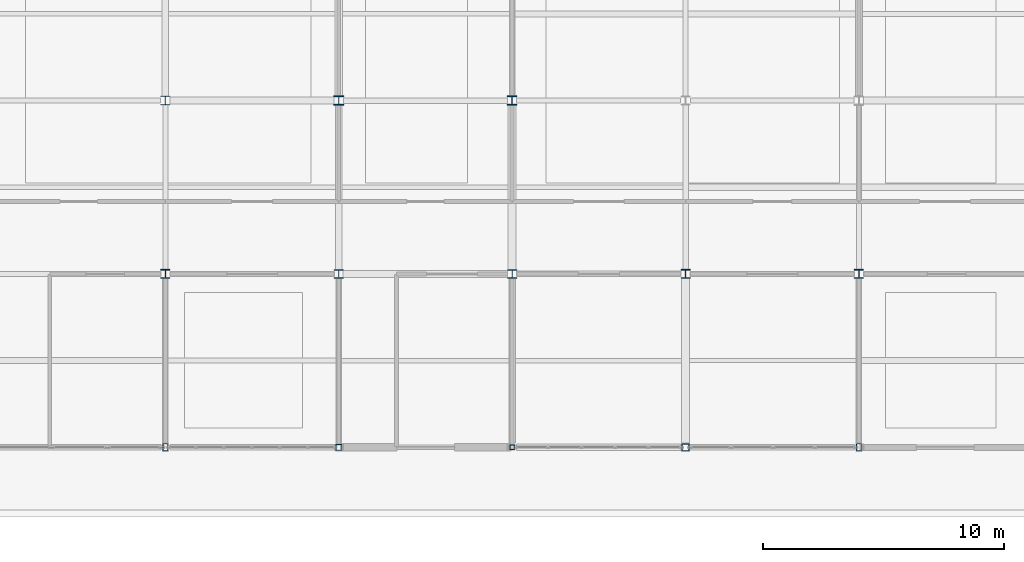
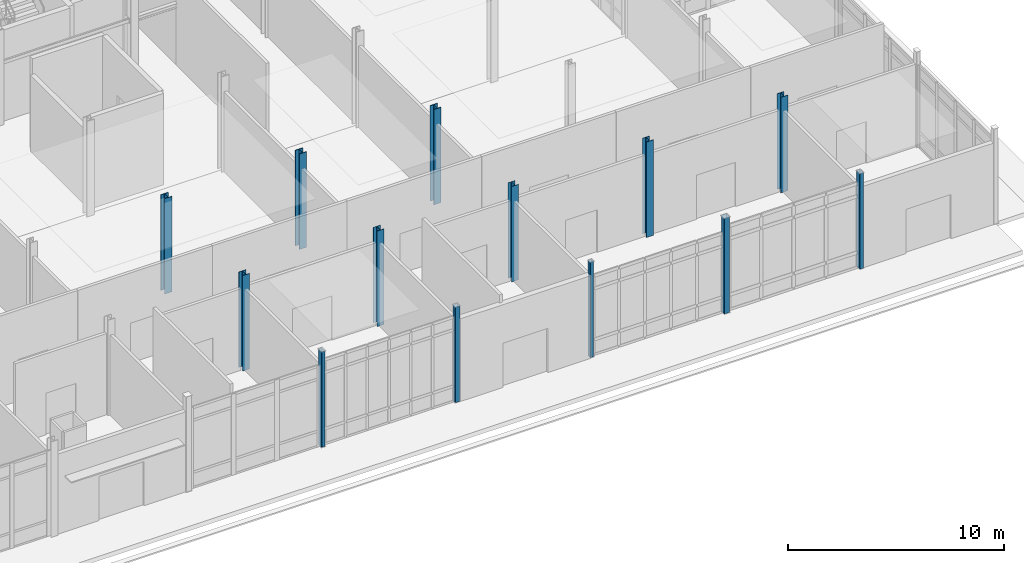
# One storey, part 18 of 229: 13 columns.
"""IFC4 building model written with IfcOpenShell, lengths in metres."""

import ifcopenshell
import ifcopenshell.guid

model = None  # the IFC model being written
_history = None  # IfcOwnerHistory: only IFC2X3 demands one
_inside = {}  # id of a spatial element -> (the spatial element, [elements in it])
_under = {}  # id of a project, library or spatial element -> (it, [spatial elements below it])
_declared = {}  # id of a project -> (the project, [libraries it declares])
_typed = {}  # id of a type object -> (the type object, [elements of that type])
_made_of = {}  # id of a material, layer set ... -> (it, [elements and type objects made of it])


def new_model(schema):
    """Start an empty IFC model of exactly this schema.

    Asked for "IFC4X3", IfcOpenShell would pick the latest addendum, in which some entities
    have other attributes; the version numbers below select the first issue.
    IFC2X3 requires an IfcOwnerHistory on every rooted entity: one is made here for all.
    """
    global model, _history
    if schema == "IFC4X3":
        model = ifcopenshell.file(schema_version=(4, 3, 0, 0))
    else:
        model = ifcopenshell.file(schema=schema)
    _inside.clear()
    _under.clear()
    _declared.clear()
    _typed.clear()
    _made_of.clear()
    _history = None
    if model.schema == "IFC2X3":
        org = make("IfcOrganization", Name="unknown")
        user = make(
            "IfcPersonAndOrganization",
            ThePerson=make("IfcPerson", FamilyName="unknown"),
            TheOrganization=org,
        )
        app = make(
            "IfcApplication",
            ApplicationDeveloper=org,
            Version="unknown",
            ApplicationFullName="unknown",
            ApplicationIdentifier="unknown",
        )
        _history = make(
            "IfcOwnerHistory",
            OwningUser=user,
            OwningApplication=app,
            ChangeAction="ADDED",
            CreationDate=0,
        )
    return model


def make(cls, **values):
    """One entity of the class cls with the attributes given. An attribute that is None is left unset."""
    return model.create_entity(
        cls, **{name: value for name, value in values.items() if value is not None}
    )


def rooted(cls, **values):
    """An entity with a GlobalId (a new one), such as an element, a storey or a relation."""
    return make(cls, GlobalId=ifcopenshell.guid.new(), OwnerHistory=_history, **values)


def si_unit(unit_type, name, prefix=None):
    """IfcSIUnit, for example si_unit("LENGTHUNIT", "METRE", prefix="MILLI")."""
    return make("IfcSIUnit", UnitType=unit_type, Prefix=prefix, Name=name)


def assignment(units):
    """IfcUnitAssignment: the units of a project."""
    return None if units is None else make("IfcUnitAssignment", Units=units)


def point(xyz):
    """IfcCartesianPoint."""
    return None if xyz is None else make("IfcCartesianPoint", Coordinates=xyz)


def direction(xyz):
    """IfcDirection."""
    return None if xyz is None else make("IfcDirection", DirectionRatios=xyz)


def frame(location, z_axis=None, x_axis=None):
    """IfcAxis2Placement3D, a coordinate frame: its origin and axes. An axis left out is left unset."""
    return make(
        "IfcAxis2Placement3D",
        Location=point(location),
        Axis=direction(z_axis),
        RefDirection=direction(x_axis),
    )


def frame_2d(location, x_axis=None):
    """IfcAxis2Placement2D, a coordinate frame in the plane: its origin and x axis."""
    return make(
        "IfcAxis2Placement2D", Location=point(location), RefDirection=direction(x_axis)
    )


def origin():
    """The frame at (0, 0, 0) with its axes left unset."""
    return frame((0.0, 0.0, 0.0))


def origin_2d():
    """The frame at (0, 0) in the plane with its x axis left unset."""
    return frame_2d((0.0, 0.0))


def place(relative_to, where):
    """IfcLocalPlacement: puts the frame where relative to a parent placement (None: the world)."""
    return make(
        "IfcLocalPlacement", PlacementRelTo=relative_to, RelativePlacement=where
    )


def context(
    kind, dimensions, precision=None, world=None, true_north=None, identifier=None
):
    """IfcGeometricRepresentationContext, for example the 3D "Model" context."""
    return make(
        "IfcGeometricRepresentationContext",
        ContextIdentifier=identifier,
        ContextType=kind,
        CoordinateSpaceDimension=dimensions,
        Precision=precision,
        WorldCoordinateSystem=world,
        TrueNorth=true_north,
    )


def subcontext(parent, identifier, kind, view, scale=None):
    """IfcGeometricRepresentationSubContext, for example "Body" below "Model"."""
    return make(
        "IfcGeometricRepresentationSubContext",
        ContextIdentifier=identifier,
        ContextType=kind,
        ParentContext=parent,
        TargetScale=scale,
        TargetView=view,
    )


def project(units=None, contexts=None):
    """IfcProject with its units and contexts."""
    return rooted(
        "IfcProject",
        Name="project",
        RepresentationContexts=contexts,
        UnitsInContext=assignment(units),
    )


def spatial(cls, under=None, at=None, **own):
    """A site, building, storey or space (cls), placed at a placement, below another one or the project."""
    s = rooted(cls, ObjectPlacement=at, **own)
    if under is not None:
        _under.setdefault(under.id(), (under, []))[1].append(s)
    return s


def profile(cls, at=None, kind="AREA", **sizes):
    """A parametric profile (cls). Its sizes go by their IFC names, for example OverallWidth=200.0."""
    return make(cls, ProfileType=kind, Position=at, **sizes)


def hollow_rectangle(**sizes):
    """IfcRectangleHollowProfileDef."""
    return profile("IfcRectangleHollowProfileDef", **sizes)


def i_section(**sizes):
    """IfcIShapeProfileDef."""
    return profile("IfcIShapeProfileDef", **sizes)


def extrude(swept, where, along, depth):
    """IfcExtrudedAreaSolid: the profile swept, set in the frame where, extruded along a direction by depth."""
    return make(
        "IfcExtrudedAreaSolid",
        SweptArea=swept,
        Position=where,
        ExtrudedDirection=direction(along),
        Depth=depth,
    )


def shape(context_of_items, identifier, shape_type, items):
    """IfcShapeRepresentation: the items that make up one representation, for example the "Body"."""
    return make(
        "IfcShapeRepresentation",
        ContextOfItems=context_of_items,
        RepresentationIdentifier=identifier,
        RepresentationType=shape_type,
        Items=items,
    )


def material(Name=None, Category=None):
    """IfcMaterial."""
    return make("IfcMaterial", Name=Name, Category=Category)


def material_profile(
    of_material, cross_section, Name=None, Category=None, Priority=None
):
    """IfcMaterialProfile: a cross section and its material."""
    return make(
        "IfcMaterialProfile",
        Name=Name,
        Material=of_material,
        Profile=cross_section,
        Priority=Priority,
        Category=Category,
    )


def profile_set(profiles, Name=None, composite=None):
    """IfcMaterialProfileSet."""
    return make(
        "IfcMaterialProfileSet",
        Name=Name,
        MaterialProfiles=profiles,
        CompositeProfile=composite,
    )


def made_of(thing, what):
    """Note that an element or type object is made of a material, layer set ...; save() writes the relation."""
    if what is not None:
        _made_of.setdefault(what.id(), (what, []))[1].append(thing)
    return thing


def type_object(cls, material=None, **own):
    """A type object (cls), such as IfcWallType, which elements share."""
    return made_of(rooted(cls, **own), material)


def element(
    cls,
    number,
    at=None,
    inside=None,
    cuts=None,
    type_object=None,
    material=None,
    context=None,
    identifier="Body",
    shape_type=None,
    held_by="IfcProductDefinitionShape",
    body=None,
    shapes=None,
    **own,
):
    """One element of the class cls, such as IfcWall. Its Tag is "e" and its number.

    at: its placement. inside: the storey or other place that contains it. cuts: it is an
    opening in that element (IfcRelVoidsElement). A single representation is given by context,
    identifier, shape_type and body (its items); several are given by shapes. held_by: the class
    of the entity that holds the representations. save() writes the other relations.
    """
    e = rooted(cls, Tag="e%d" % number, ObjectPlacement=at, **own)
    if body is not None:
        shapes = [shape(context, identifier, shape_type, body)]
    if shapes is not None:
        e.Representation = make(held_by, Representations=shapes)
    if inside is not None:
        _inside.setdefault(inside.id(), (inside, []))[1].append(e)
    if cuts is not None:
        rooted(
            "IfcRelVoidsElement", RelatingBuildingElement=cuts, RelatedOpeningElement=e
        )
    if type_object is not None:
        _typed.setdefault(type_object.id(), (type_object, []))[1].append(e)
    return made_of(e, material)


def aggregate(whole, parts):
    """IfcRelAggregates: a whole, such as a stair, and the parts it consists of."""
    return rooted("IfcRelAggregates", RelatingObject=whole, RelatedObjects=parts)


def save(model, path):
    """Write the relations noted so far, then the file.

    IfcRelAggregates (storeys below a building ...), IfcRelContainedInSpatialStructure (elements
    in a storey), IfcRelDefinesByType, IfcRelAssociatesMaterial and IfcRelDeclares: one each for
    every whole, place, type object, material and project.
    """
    for whole, parts in _under.values():
        aggregate(whole, parts)
    for where, things in _inside.values():
        rooted(
            "IfcRelContainedInSpatialStructure",
            RelatedElements=things,
            RelatingStructure=where,
        )
    for kind, things in _typed.values():
        rooted("IfcRelDefinesByType", RelatedObjects=things, RelatingType=kind)
    for what, things in _made_of.values():
        rooted("IfcRelAssociatesMaterial", RelatedObjects=things, RelatingMaterial=what)
    for by, libraries in _declared.values():
        rooted("IfcRelDeclares", RelatingContext=by, RelatedDefinitions=libraries)
    model.write(path)


model = new_model("IFC4")

# Units and contexts
model_context = context("Model", 3, precision=1e-05, world=origin(), true_north=direction((0.0, 1.0)))
body_context = subcontext(model_context, "Body", "Model", "MODEL_VIEW")
ifc_project = project(units=[si_unit("LENGTHUNIT", "METRE"), si_unit("AREAUNIT", "SQUARE_METRE"), si_unit("VOLUMEUNIT", "CUBIC_METRE"), si_unit("PLANEANGLEUNIT", "RADIAN"), si_unit("MASSUNIT", "GRAM", prefix="KILO")], contexts=[model_context])

# Site, building, storey
site_placement = place(None, origin())
site = spatial("IfcSite", under=ifc_project, at=site_placement, CompositionType="ELEMENT")
building_placement = place(site_placement, origin())
building = spatial("IfcBuilding", under=site, at=building_placement, Name="Calvrana Isthmian Art Gallery", CompositionType="ELEMENT")
storey_placement = place(building_placement, origin())
storey = spatial("IfcBuildingStorey", under=building, at=storey_placement, Name="L00", CompositionType="ELEMENT", Elevation=0.0)

# Columns
ifc_material_1 = material(Name="Steel ASTM A500 Gr C", Category="steel")
ifc_material_profile_1 = material_profile(ifc_material_1, hollow_rectangle(XDim=0.203125, YDim=0.203125, WallThickness=0.0126953125, OuterFilletRadius=0.02490234375, at=origin_2d()), Name="HSS203X203X12.7")
ifc_profile_set_1 = profile_set([ifc_material_profile_1], Name="Steel ASTM A500 Gr C")
column_type_1 = type_object("IfcColumnType", Name="COL-STL-HSS203X203X12.7", PredefinedType="COLUMN", material=ifc_profile_set_1)
column_1_placement = place(storey_placement, frame((141.60009765625, 0.0, 0.0), z_axis=(0.0, 0.0, 1.0), x_axis=(1.0, 0.0, 0.0)))
element("IfcColumn", 1, at=column_1_placement, inside=storey, type_object=column_type_1, Name="Column 19/A L00", PredefinedType="COLUMN", context=body_context, shape_type="SweptSolid", body=[
    extrude(hollow_rectangle(XDim=0.203125, YDim=0.203125, WallThickness=0.0126953125, OuterFilletRadius=0.02490234375, at=origin_2d()), origin(), (0.0, 0.0, 1.0), 5.39990234375),
])
ifc_material_profile_2 = material_profile(ifc_material_1, hollow_rectangle(XDim=0.25390625, YDim=0.25390625, WallThickness=0.0126953125, OuterFilletRadius=0.02490234375, at=origin_2d()), Name="HSS254X254X12.7")
ifc_profile_set_2 = profile_set([ifc_material_profile_2], Name="Steel ASTM A500 Gr C")
column_type_2 = type_object("IfcColumnType", Name="COL-STL-HSS254X254X12.7", PredefinedType="COLUMN", material=ifc_profile_set_2)
column_2_placement = place(storey_placement, frame((134.39990234375, 0.0, 0.0), z_axis=(0.0, 0.0, 1.0), x_axis=(1.0, 0.0, 0.0)))
element("IfcColumn", 2, at=column_2_placement, inside=storey, type_object=column_type_2, Name="Column 18/A L00", PredefinedType="COLUMN", context=body_context, shape_type="SweptSolid", body=[
    extrude(hollow_rectangle(XDim=0.25390625, YDim=0.25390625, WallThickness=0.0126953125, OuterFilletRadius=0.02490234375, at=origin_2d()), origin(), (0.0, 0.0, 1.0), 5.39990234375),
])
ifc_material_profile_3 = material_profile(ifc_material_1, hollow_rectangle(XDim=0.203125, YDim=0.3046875, WallThickness=0.0126953125, OuterFilletRadius=0.02490234375, at=origin_2d()), Name="HSS305X203X12.7")
ifc_profile_set_3 = profile_set([ifc_material_profile_3], Name="Steel ASTM A500 Gr C")
column_type_3 = type_object("IfcColumnType", Name="COL-STL-HSS305X203X12.7", PredefinedType="COLUMN", material=ifc_profile_set_3)
for number, where, z_axis, x_axis, name in (
    (3, (127.199951171875, 0.0, 0.0), (0.0, 0.0, 1.0), (1.0, 0.0, 0.0), "Column 17/A L00"),
    (4, (156.0, 0.0, 0.0), (0.0, 0.0, 1.0), (1.0, 0.0, 0.0), "Column 21/A L00"),
):
    element("IfcColumn", number, at=place(storey_placement, frame(where, z_axis=z_axis, x_axis=x_axis)), inside=storey, type_object=column_type_3, Name=name, PredefinedType="COLUMN", context=body_context, shape_type="SweptSolid", body=[
        extrude(hollow_rectangle(XDim=0.203125, YDim=0.3046875, WallThickness=0.0126953125, OuterFilletRadius=0.02490234375, at=origin_2d()), origin(), (0.0, 0.0, 1.0), 5.39990234375),
    ])
ifc_material_profile_4 = material_profile(ifc_material_1, hollow_rectangle(XDim=0.3046875, YDim=0.3046875, WallThickness=0.015869140625, OuterFilletRadius=0.031982421875, at=origin_2d()), Name="HSS305X305X15.9")
ifc_profile_set_4 = profile_set([ifc_material_profile_4], Name="Steel ASTM A500 Gr C")
column_type_4 = type_object("IfcColumnType", Name="COL-STL-HSS305X305X15.9", PredefinedType="COLUMN", material=ifc_profile_set_4)
column_3_placement = place(storey_placement, frame((148.800048828125, 0.0, 0.0), z_axis=(0.0, 0.0, 1.0), x_axis=(1.0, 0.0, 0.0)))
element("IfcColumn", 5, at=column_3_placement, inside=storey, type_object=column_type_4, Name="Column 20/A L00", PredefinedType="COLUMN", context=body_context, shape_type="SweptSolid", body=[
    extrude(hollow_rectangle(XDim=0.3046875, YDim=0.3046875, WallThickness=0.015869140625, OuterFilletRadius=0.031982421875, at=origin_2d()), origin(), (0.0, 0.0, 1.0), 5.39990234375),
])
ifc_material_2 = material(Name="Steel ASTM A992 Gr 50", Category="steel")
ifc_material_profile_5 = material_profile(ifc_material_2, i_section(OverallWidth=0.37109375, OverallDepth=0.363037109375, WebThickness=0.01318359375, FlangeThickness=0.021728515625, FilletRadius=0.02490234375, at=origin_2d()), Name="W14X109")
ifc_profile_set_5 = profile_set([ifc_material_profile_5], Name="Steel ASTM A992 Gr 50")
column_type_5 = type_object("IfcColumnType", Name="COL-STL-W14X109", PredefinedType="COLUMN", material=ifc_profile_set_5)
column_4_placement = place(storey_placement, frame((134.39990234375, 7.199951171875, 0.0), z_axis=(0.0, 0.0, 1.0), x_axis=(1.0, 0.0, 0.0)))
element("IfcColumn", 6, at=column_4_placement, inside=storey, type_object=column_type_5, Name="Column 18/B L00", PredefinedType="COLUMN", context=body_context, shape_type="SweptSolid", body=[
    extrude(i_section(OverallWidth=0.37109375, OverallDepth=0.363037109375, WebThickness=0.01318359375, FlangeThickness=0.021728515625, FilletRadius=0.02490234375, at=origin_2d()), origin(), (0.0, 0.0, 1.0), 5.39990234375),
])
ifc_material_profile_6 = material_profile(ifc_material_2, i_section(OverallWidth=0.373046875, OverallDepth=0.367919921875, WebThickness=0.014892578125, FlangeThickness=0.02392578125, FilletRadius=0.02490234375, at=origin_2d()), Name="W14X120")
ifc_profile_set_6 = profile_set([ifc_material_profile_6], Name="Steel ASTM A992 Gr 50")
column_type_6 = type_object("IfcColumnType", Name="COL-STL-W14X120", PredefinedType="COLUMN", material=ifc_profile_set_6)
for number, where, z_axis, x_axis, name in (
    (7, (127.199951171875, 7.199951171875, 0.0), (0.0, 0.0, 1.0), (1.0, 0.0, 0.0), "Column 17/B L00"),
    (8, (156.0, 7.199951171875, 0.0), (0.0, 0.0, 1.0), (1.0, 0.0, 0.0), "Column 21/B L00"),
):
    element("IfcColumn", number, at=place(storey_placement, frame(where, z_axis=z_axis, x_axis=x_axis)), inside=storey, type_object=column_type_6, Name=name, PredefinedType="COLUMN", context=body_context, shape_type="SweptSolid", body=[
        extrude(i_section(OverallWidth=0.373046875, OverallDepth=0.367919921875, WebThickness=0.014892578125, FlangeThickness=0.02392578125, FilletRadius=0.02490234375, at=origin_2d()), origin(), (0.0, 0.0, 1.0), 5.39990234375),
    ])
ifc_material_profile_7 = material_profile(ifc_material_2, i_section(OverallWidth=0.373046875, OverallDepth=0.373046875, WebThickness=0.016357421875, FlangeThickness=0.026123046875, FilletRadius=0.02490234375, at=origin_2d()), Name="W14X132")
ifc_profile_set_7 = profile_set([ifc_material_profile_7], Name="Steel ASTM A992 Gr 50")
column_type_7 = type_object("IfcColumnType", Name="COL-STL-W14X132", PredefinedType="COLUMN", material=ifc_profile_set_7)
column_5_placement = place(storey_placement, frame((148.800048828125, 7.199951171875, 0.0), z_axis=(0.0, 0.0, 1.0), x_axis=(1.0, 0.0, 0.0)))
element("IfcColumn", 9, at=column_5_placement, inside=storey, type_object=column_type_7, Name="Column 20/B L00", PredefinedType="COLUMN", context=body_context, shape_type="SweptSolid", body=[
    extrude(i_section(OverallWidth=0.373046875, OverallDepth=0.373046875, WebThickness=0.016357421875, FlangeThickness=0.026123046875, FilletRadius=0.02490234375, at=origin_2d()), origin(), (0.0, 0.0, 1.0), 5.39990234375),
])
ifc_material_profile_8 = material_profile(ifc_material_2, i_section(OverallWidth=0.39404296875, OverallDepth=0.3759765625, WebThickness=0.017333984375, FlangeThickness=0.027587890625, FilletRadius=0.02490234375, at=origin_2d()), Name="W14X145")
ifc_profile_set_8 = profile_set([ifc_material_profile_8], Name="Steel ASTM A992 Gr 50")
column_type_8 = type_object("IfcColumnType", Name="COL-STL-W14X145", PredefinedType="COLUMN", material=ifc_profile_set_8)
column_6_placement = place(storey_placement, frame((141.60009765625, 14.39990234375, 0.0), z_axis=(0.0, 0.0, 1.0), x_axis=(1.0, 0.0, 0.0)))
element("IfcColumn", 10, at=column_6_placement, inside=storey, type_object=column_type_8, Name="Column 19/C L00", PredefinedType="COLUMN", context=body_context, shape_type="SweptSolid", body=[
    extrude(i_section(OverallWidth=0.39404296875, OverallDepth=0.3759765625, WebThickness=0.017333984375, FlangeThickness=0.027587890625, FilletRadius=0.02490234375, at=origin_2d()), origin(), (0.0, 0.0, 1.0), 5.39990234375),
])
ifc_material_profile_9 = material_profile(ifc_material_2, i_section(OverallWidth=0.39599609375, OverallDepth=0.381103515625, WebThickness=0.018798828125, FlangeThickness=0.0302734375, FilletRadius=0.02490234375, at=origin_2d()), Name="W14X159")
ifc_profile_set_9 = profile_set([ifc_material_profile_9], Name="Steel ASTM A992 Gr 50")
column_type_9 = type_object("IfcColumnType", Name="COL-STL-W14X159", PredefinedType="COLUMN", material=ifc_profile_set_9)
column_7_placement = place(storey_placement, frame((134.39990234375, 14.39990234375, 0.0), z_axis=(0.0, 0.0, 1.0), x_axis=(1.0, 0.0, 0.0)))
element("IfcColumn", 11, at=column_7_placement, inside=storey, type_object=column_type_9, Name="Column 18/C L00", PredefinedType="COLUMN", context=body_context, shape_type="SweptSolid", body=[
    extrude(i_section(OverallWidth=0.39599609375, OverallDepth=0.381103515625, WebThickness=0.018798828125, FlangeThickness=0.0302734375, FilletRadius=0.02490234375, at=origin_2d()), origin(), (0.0, 0.0, 1.0), 5.39990234375),
])
ifc_material_profile_10 = material_profile(ifc_material_2, i_section(OverallWidth=0.39892578125, OverallDepth=0.385986328125, WebThickness=0.02099609375, FlangeThickness=0.033203125, FilletRadius=0.02490234375, at=origin_2d()), Name="W14X176")
ifc_profile_set_10 = profile_set([ifc_material_profile_10], Name="Steel ASTM A992 Gr 50")
column_type_10 = type_object("IfcColumnType", Name="COL-STL-W14X176", PredefinedType="COLUMN", material=ifc_profile_set_10)
column_8_placement = place(storey_placement, frame((127.199951171875, 14.39990234375, 0.0), z_axis=(0.0, 0.0, 1.0), x_axis=(1.0, 0.0, 0.0)))
element("IfcColumn", 12, at=column_8_placement, inside=storey, type_object=column_type_10, Name="Column 17/C L00", PredefinedType="COLUMN", context=body_context, shape_type="SweptSolid", body=[
    extrude(i_section(OverallWidth=0.39892578125, OverallDepth=0.385986328125, WebThickness=0.02099609375, FlangeThickness=0.033203125, FilletRadius=0.02490234375, at=origin_2d()), origin(), (0.0, 0.0, 1.0), 5.39990234375),
])
ifc_material_profile_11 = material_profile(ifc_material_2, i_section(OverallWidth=0.367919921875, OverallDepth=0.35595703125, WebThickness=0.01123046875, FlangeThickness=0.01806640625, FilletRadius=0.02490234375, at=origin_2d()), Name="W14X90")
ifc_profile_set_11 = profile_set([ifc_material_profile_11], Name="Steel ASTM A992 Gr 50")
column_type_11 = type_object("IfcColumnType", Name="COL-STL-W14X90", PredefinedType="COLUMN", material=ifc_profile_set_11)
column_9_placement = place(storey_placement, frame((141.60009765625, 7.199951171875, 0.0), z_axis=(0.0, 0.0, 1.0), x_axis=(1.0, 0.0, 0.0)))
element("IfcColumn", 13, at=column_9_placement, inside=storey, type_object=column_type_11, Name="Column 19/B L00", PredefinedType="COLUMN", context=body_context, shape_type="SweptSolid", body=[
    extrude(i_section(OverallWidth=0.367919921875, OverallDepth=0.35595703125, WebThickness=0.01123046875, FlangeThickness=0.01806640625, FilletRadius=0.02490234375, at=origin_2d()), origin(), (0.0, 0.0, 1.0), 5.39990234375),
])

save(model, "model.ifc")
